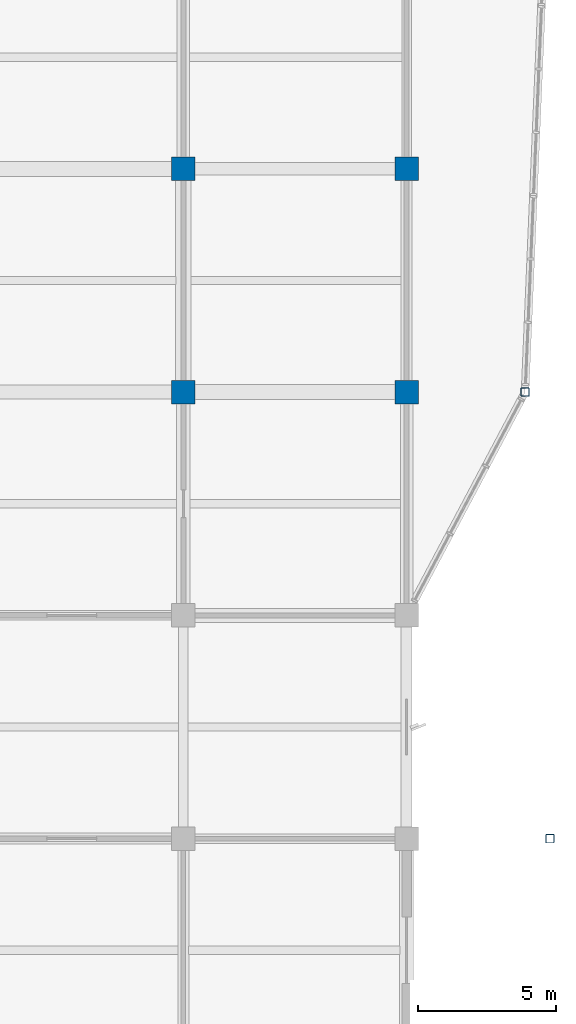
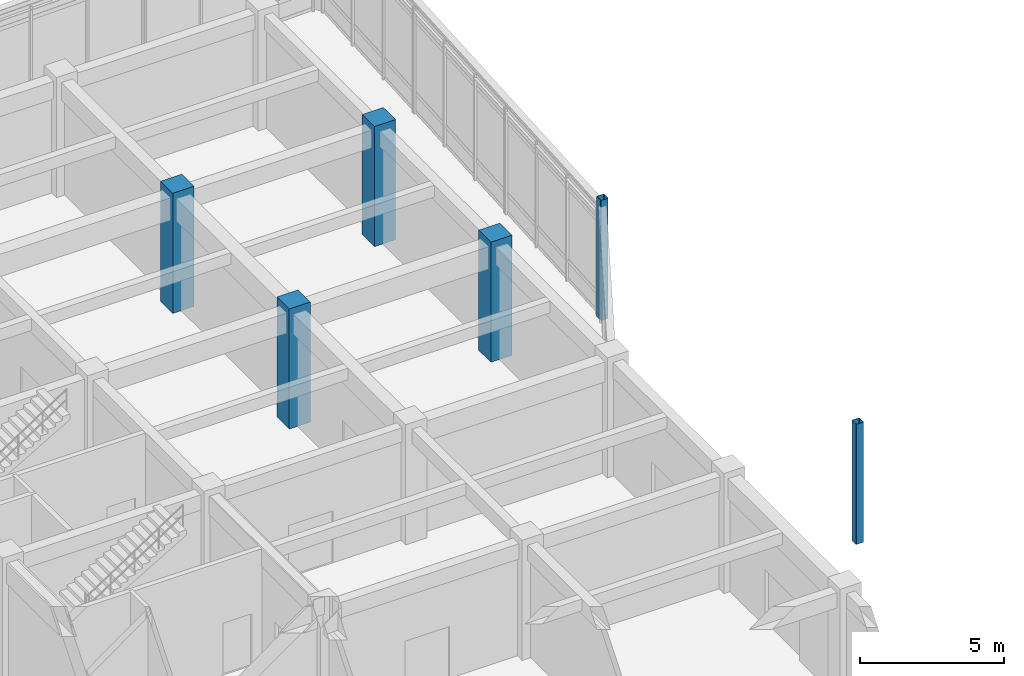
# One storey, part 17 of 99: 6 columns.
"""IFC4 building model written with IfcOpenShell, lengths in metres."""

from ifc_helpers import new_model, si_unit, direction, frame, origin, origin_2d, place, context, subcontext, project, spatial, rectangle, hollow_rectangle, extrude, material, material_profile, profile_set, type_object, element, save


model = new_model("IFC4")

# Units and contexts
model_context = context("Model", 3, precision=1e-05, world=origin(), true_north=direction((0.0, 1.0)))
body_context = subcontext(model_context, "Body", "Model", "MODEL_VIEW")
ifc_project = project(units=[si_unit("LENGTHUNIT", "METRE"), si_unit("AREAUNIT", "SQUARE_METRE"), si_unit("VOLUMEUNIT", "CUBIC_METRE"), si_unit("PLANEANGLEUNIT", "RADIAN"), si_unit("MASSUNIT", "GRAM", prefix="KILO")], contexts=[model_context])

# Site, building, storey
site_placement = place(None, origin())
site = spatial("IfcSite", under=ifc_project, at=site_placement, CompositionType="ELEMENT")
building_placement = place(site_placement, origin())
building = spatial("IfcBuilding", under=site, at=building_placement, Name="Vaudrelin Polytechnic", CompositionType="ELEMENT")
storey_placement = place(building_placement, origin())
storey = spatial("IfcBuildingStorey", under=building, at=storey_placement, Name="L00", CompositionType="ELEMENT", Elevation=0.0)

# Columns
ifc_material_1 = material(Name="Steel CSA G40.21 350WT", Category="steel")
ifc_material_profile_1 = material_profile(ifc_material_1, hollow_rectangle(XDim=0.304931640625, YDim=0.304931640625, WallThickness=0.0126953125, InnerFilletRadius=0.0126953125, OuterFilletRadius=0.025390625, at=origin_2d()), Name="HSS305x305x12.7")
ifc_profile_set_1 = profile_set([ifc_material_profile_1], Name="Steel CSA G40.21 350WT")
column_type_1 = type_object("IfcColumnType", Name="COL-C-HSS305", PredefinedType="COLUMN", material=ifc_profile_set_1)
for number, where, z_axis, x_axis, name in (
    (1, (174.39990234375, 105.300048828125, 0.0), (0.0, 0.0, 1.0), (1.0, 0.0, 0.0), "Deconstructivist column L00 NE_E"),
    (2, (175.300048828125, 89.10009765625, 0.0), (0.0, 0.0, 1.0), (1.0, 0.0, 0.0), "Deconstructivist column L00 E_OR2_2"),
):
    element("IfcColumn", number, at=place(storey_placement, frame(where, z_axis=z_axis, x_axis=x_axis)), inside=storey, type_object=column_type_1, Name=name, PredefinedType="COLUMN", context=body_context, shape_type="SweptSolid", body=[
        extrude(hollow_rectangle(XDim=0.304931640625, YDim=0.304931640625, WallThickness=0.0126953125, InnerFilletRadius=0.0126953125, OuterFilletRadius=0.025390625, at=origin_2d()), origin(), (0.0, 0.0, 1.0), 5.10009765625),
    ])
ifc_material_2 = material(Name="Concrete 50 MPa", Category="concrete")
ifc_material_profile_2 = material_profile(ifc_material_2, rectangle(XDim=0.85009765625, YDim=0.85009765625, at=origin_2d()), Name="RC850x850")
ifc_profile_set_2 = profile_set([ifc_material_profile_2], Name="Concrete 50 MPa")
column_type_2 = type_object("IfcColumnType", Name="COL-C-RC850", PredefinedType="COLUMN", material=ifc_profile_set_2)
for number, where, z_axis, x_axis, name in (
    (3, (162.0, 105.300048828125, 0.0), (0.0, 0.0, 1.0), (1.0, 0.0, 0.0), "Column L00 21-14"),
    (4, (162.0, 113.39990234375, 0.0), (0.0, 0.0, 1.0), (1.0, 0.0, 0.0), "Column L00 21-15"),
    (5, (170.10009765625, 105.300048828125, 0.0), (0.0, 0.0, 1.0), (1.0, 0.0, 0.0), "Column L00 22-14"),
    (6, (170.10009765625, 113.39990234375, 0.0), (0.0, 0.0, 1.0), (1.0, 0.0, 0.0), "Column L00 22-15"),
):
    element("IfcColumn", number, at=place(storey_placement, frame(where, z_axis=z_axis, x_axis=x_axis)), inside=storey, type_object=column_type_2, Name=name, PredefinedType="COLUMN", context=body_context, shape_type="SweptSolid", body=[
        extrude(rectangle(XDim=0.85009765625, YDim=0.85009765625, at=origin_2d()), origin(), (0.0, 0.0, 1.0), 5.10009765625),
    ])

save(model, "model.ifc")
